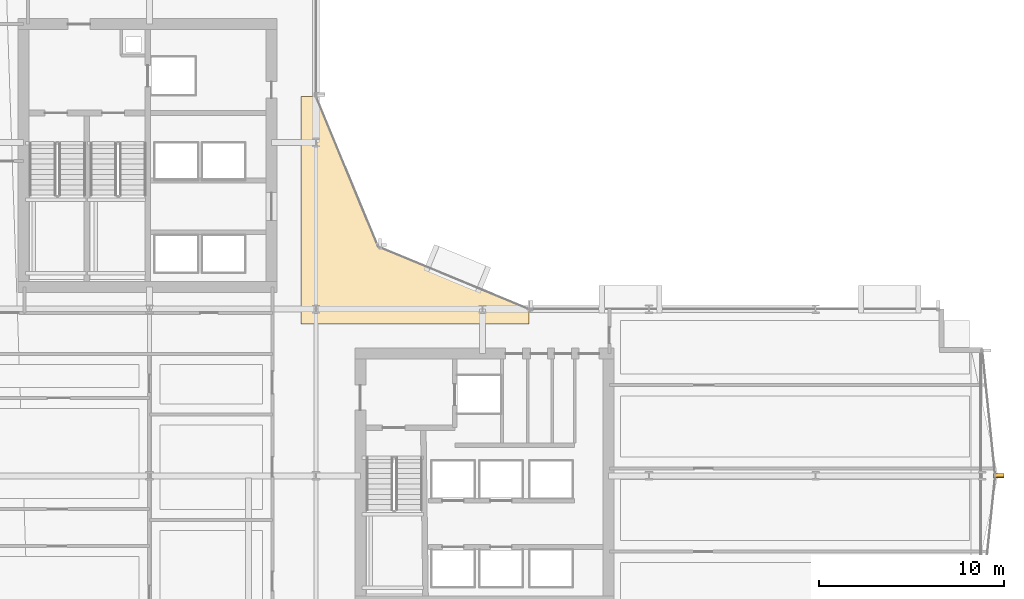
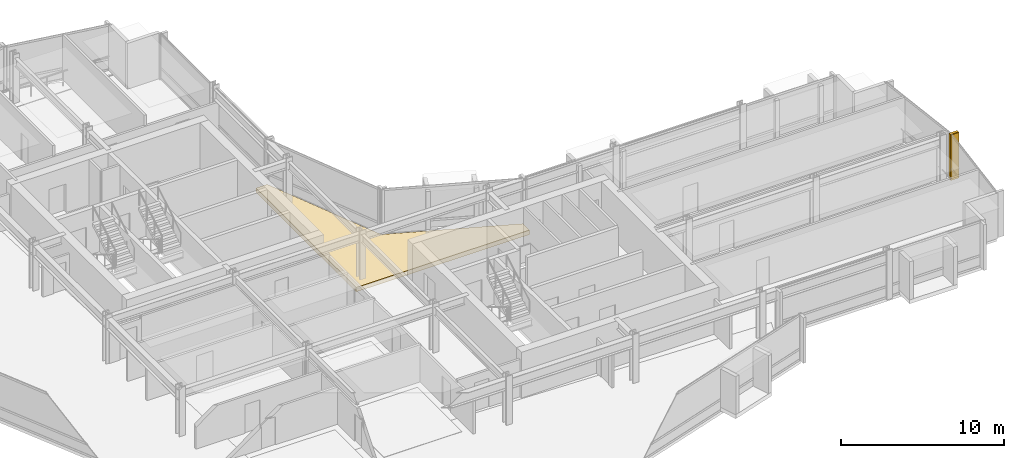
# One storey, part 34 of 34: 3 coverings.
"""IFC4 building model written with IfcOpenShell, lengths in metres."""

from ifc_helpers import new_model, si_unit, direction, frame, origin, origin_2d, place, context, subcontext, project, spatial, polyline, rectangle, outline, extrude, material, layer, layer_set, type_object, element, save


model = new_model("IFC4")

# Units and contexts
model_context = context("Model", 3, precision=1e-05, world=origin(), true_north=direction((0.0, 1.0)))
body_context = subcontext(model_context, "Body", "Model", "MODEL_VIEW")
ifc_project = project(units=[si_unit("LENGTHUNIT", "METRE"), si_unit("AREAUNIT", "SQUARE_METRE"), si_unit("VOLUMEUNIT", "CUBIC_METRE"), si_unit("PLANEANGLEUNIT", "RADIAN"), si_unit("MASSUNIT", "GRAM", prefix="KILO")], contexts=[model_context])

# Site, building, storey
site_placement = place(None, origin())
site = spatial("IfcSite", under=ifc_project, at=site_placement, CompositionType="ELEMENT")
building_placement = place(site_placement, origin())
building = spatial("IfcBuilding", under=site, at=building_placement, Name="Solvaryn Broadcast Tower", CompositionType="ELEMENT")
storey_placement = place(building_placement, frame((0.0, 0.0, 89.10009765625)))
storey = spatial("IfcBuildingStorey", under=building, at=storey_placement, Name="L21", CompositionType="ELEMENT", Elevation=89.10009765625)

# Coverings
ifc_material_1 = material(Name="Extruded Architectural Terracotta Fin", Category="masonry")
ifc_layer_1 = layer(ifc_material_1, 0.179931640625)
ifc_layer_set_1 = layer_set([ifc_layer_1], Name="CV-TC-FIN")
covering_type_1 = type_object("IfcCoveringType", Name="CV-TC-FIN", PredefinedType="USERDEFINED", material=ifc_layer_set_1)
for number, where, z_axis, x_axis, name in (
    (1, (63.884521484375, 18.02978515625, 0.0), (0.0, 0.0, 1.0), (1.0, 0.0, 0.0), "L21 Terracotta Vertical Fin FIN-L21-ET1-M01"),
    (2, (63.884521484375, 17.97021484375, 0.0), (0.0, 0.0, 1.0), (1.0, 0.0, 0.0), "L21 Terracotta Vertical Fin FIN-L21-ET2-M00"),
):
    element("IfcCovering", number, at=place(storey_placement, frame(where, z_axis=z_axis, x_axis=x_axis)), inside=storey, type_object=covering_type_1, Name=name, ObjectType="FIN", PredefinedType="USERDEFINED", context=body_context, shape_type="SweptSolid", body=[
        extrude(rectangle(XDim=0.580078125, YDim=0.179931640625, at=origin_2d()), origin(), (0.0, 0.0, 1.0), 3.419921875),
    ])
ifc_material_2 = material(Name="Sculpted Architectural Terracotta Wave Fascia", Category="masonry")
ifc_layer_2 = layer(ifc_material_2, 0.340087890625)
ifc_layer_set_2 = layer_set([ifc_layer_2], Name="CV-WAVE-TRAY")
covering_type_2 = type_object("IfcCoveringType", Name="CV-WAVE-TRAY", PredefinedType="CLADDING", material=ifc_layer_set_2)
covering_placement = place(storey_placement, frame((0.0, 0.0, -0.300048828125)))
element("IfcCovering", 3, at=covering_placement, inside=storey, type_object=covering_type_2, Name="L21 Concave Canyon Floor Apron", PredefinedType="CLADDING", context=body_context, shape_type="SweptSolid", body=[
    extrude(outline(polyline([(26.199951171875, 26.199951171875), (38.5, 26.199951171875), (38.5, 27.0), (30.367919921875, 30.367919921875), (27.0, 38.5), (26.199951171875, 38.5), (26.199951171875, 26.199951171875)])), origin(), (0.0, 0.0, 1.0), 0.329833984375),
])

save(model, "model.ifc")
